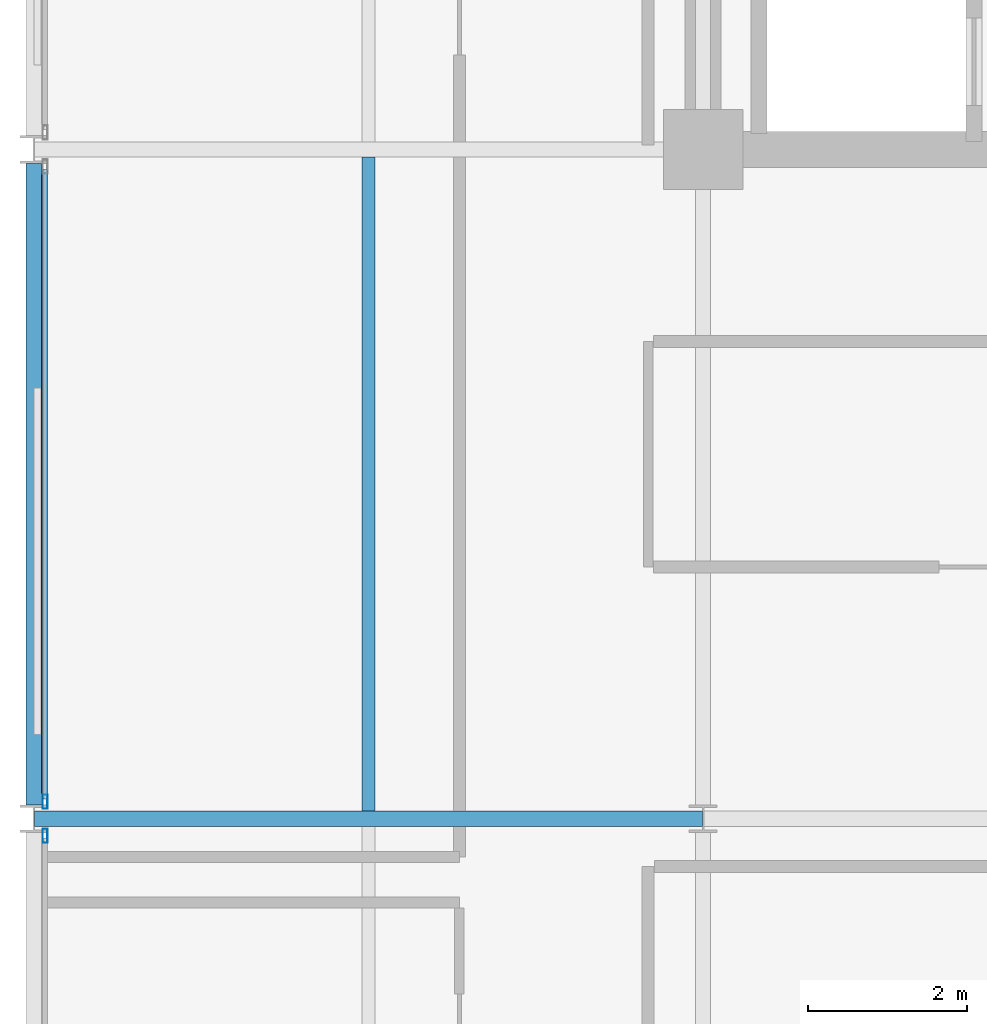
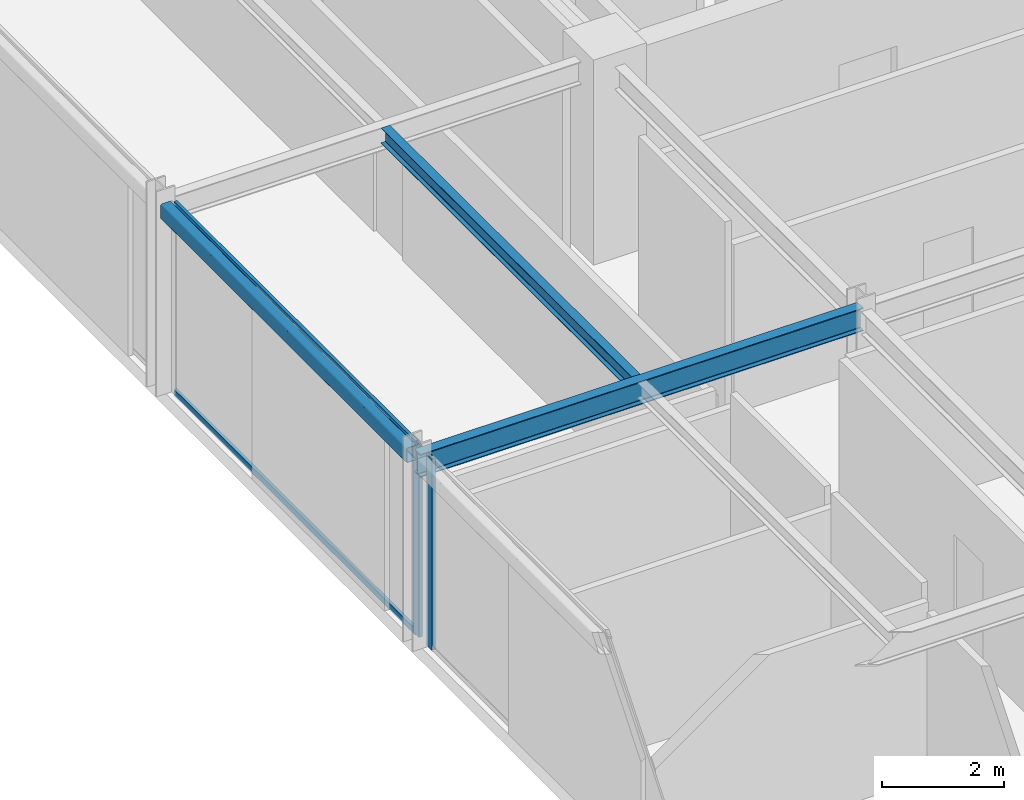
# One storey, part 8 of 25: 4 members, 3 beams, 2 elements without a shape of their own.
"""IFC4 building model written with IfcOpenShell, lengths in metres."""

import ifcopenshell
import ifcopenshell.guid

model = None  # the IFC model being written
_history = None  # IfcOwnerHistory: only IFC2X3 demands one
_inside = {}  # id of a spatial element -> (the spatial element, [elements in it])
_under = {}  # id of a project, library or spatial element -> (it, [spatial elements below it])
_declared = {}  # id of a project -> (the project, [libraries it declares])
_typed = {}  # id of a type object -> (the type object, [elements of that type])
_made_of = {}  # id of a material, layer set ... -> (it, [elements and type objects made of it])


def new_model(schema):
    """Start an empty IFC model of exactly this schema.

    Asked for "IFC4X3", IfcOpenShell would pick the latest addendum, in which some entities
    have other attributes; the version numbers below select the first issue.
    IFC2X3 requires an IfcOwnerHistory on every rooted entity: one is made here for all.
    """
    global model, _history
    if schema == "IFC4X3":
        model = ifcopenshell.file(schema_version=(4, 3, 0, 0))
    else:
        model = ifcopenshell.file(schema=schema)
    _inside.clear()
    _under.clear()
    _declared.clear()
    _typed.clear()
    _made_of.clear()
    _history = None
    if model.schema == "IFC2X3":
        org = make("IfcOrganization", Name="unknown")
        user = make(
            "IfcPersonAndOrganization",
            ThePerson=make("IfcPerson", FamilyName="unknown"),
            TheOrganization=org,
        )
        app = make(
            "IfcApplication",
            ApplicationDeveloper=org,
            Version="unknown",
            ApplicationFullName="unknown",
            ApplicationIdentifier="unknown",
        )
        _history = make(
            "IfcOwnerHistory",
            OwningUser=user,
            OwningApplication=app,
            ChangeAction="ADDED",
            CreationDate=0,
        )
    return model


def make(cls, **values):
    """One entity of the class cls with the attributes given. An attribute that is None is left unset."""
    return model.create_entity(
        cls, **{name: value for name, value in values.items() if value is not None}
    )


def rooted(cls, **values):
    """An entity with a GlobalId (a new one), such as an element, a storey or a relation."""
    return make(cls, GlobalId=ifcopenshell.guid.new(), OwnerHistory=_history, **values)


def si_unit(unit_type, name, prefix=None):
    """IfcSIUnit, for example si_unit("LENGTHUNIT", "METRE", prefix="MILLI")."""
    return make("IfcSIUnit", UnitType=unit_type, Prefix=prefix, Name=name)


def assignment(units):
    """IfcUnitAssignment: the units of a project."""
    return None if units is None else make("IfcUnitAssignment", Units=units)


def point(xyz):
    """IfcCartesianPoint."""
    return None if xyz is None else make("IfcCartesianPoint", Coordinates=xyz)


def direction(xyz):
    """IfcDirection."""
    return None if xyz is None else make("IfcDirection", DirectionRatios=xyz)


def frame(location, z_axis=None, x_axis=None):
    """IfcAxis2Placement3D, a coordinate frame: its origin and axes. An axis left out is left unset."""
    return make(
        "IfcAxis2Placement3D",
        Location=point(location),
        Axis=direction(z_axis),
        RefDirection=direction(x_axis),
    )


def frame_2d(location, x_axis=None):
    """IfcAxis2Placement2D, a coordinate frame in the plane: its origin and x axis."""
    return make(
        "IfcAxis2Placement2D", Location=point(location), RefDirection=direction(x_axis)
    )


def origin():
    """The frame at (0, 0, 0) with its axes left unset."""
    return frame((0.0, 0.0, 0.0))


def origin_2d():
    """The frame at (0, 0) in the plane with its x axis left unset."""
    return frame_2d((0.0, 0.0))


def place(relative_to, where):
    """IfcLocalPlacement: puts the frame where relative to a parent placement (None: the world)."""
    return make(
        "IfcLocalPlacement", PlacementRelTo=relative_to, RelativePlacement=where
    )


def context(
    kind, dimensions, precision=None, world=None, true_north=None, identifier=None
):
    """IfcGeometricRepresentationContext, for example the 3D "Model" context."""
    return make(
        "IfcGeometricRepresentationContext",
        ContextIdentifier=identifier,
        ContextType=kind,
        CoordinateSpaceDimension=dimensions,
        Precision=precision,
        WorldCoordinateSystem=world,
        TrueNorth=true_north,
    )


def subcontext(parent, identifier, kind, view, scale=None):
    """IfcGeometricRepresentationSubContext, for example "Body" below "Model"."""
    return make(
        "IfcGeometricRepresentationSubContext",
        ContextIdentifier=identifier,
        ContextType=kind,
        ParentContext=parent,
        TargetScale=scale,
        TargetView=view,
    )


def project(units=None, contexts=None):
    """IfcProject with its units and contexts."""
    return rooted(
        "IfcProject",
        Name="project",
        RepresentationContexts=contexts,
        UnitsInContext=assignment(units),
    )


def spatial(cls, under=None, at=None, **own):
    """A site, building, storey or space (cls), placed at a placement, below another one or the project."""
    s = rooted(cls, ObjectPlacement=at, **own)
    if under is not None:
        _under.setdefault(under.id(), (under, []))[1].append(s)
    return s


def profile(cls, at=None, kind="AREA", **sizes):
    """A parametric profile (cls). Its sizes go by their IFC names, for example OverallWidth=200.0."""
    return make(cls, ProfileType=kind, Position=at, **sizes)


def hollow_rectangle(**sizes):
    """IfcRectangleHollowProfileDef."""
    return profile("IfcRectangleHollowProfileDef", **sizes)


def i_section(**sizes):
    """IfcIShapeProfileDef."""
    return profile("IfcIShapeProfileDef", **sizes)


def extrude(swept, where, along, depth):
    """IfcExtrudedAreaSolid: the profile swept, set in the frame where, extruded along a direction by depth."""
    return make(
        "IfcExtrudedAreaSolid",
        SweptArea=swept,
        Position=where,
        ExtrudedDirection=direction(along),
        Depth=depth,
    )


def shape(context_of_items, identifier, shape_type, items):
    """IfcShapeRepresentation: the items that make up one representation, for example the "Body"."""
    return make(
        "IfcShapeRepresentation",
        ContextOfItems=context_of_items,
        RepresentationIdentifier=identifier,
        RepresentationType=shape_type,
        Items=items,
    )


def material(Name=None, Category=None):
    """IfcMaterial."""
    return make("IfcMaterial", Name=Name, Category=Category)


def layer(
    of_material, thickness, ventilated=None, Name=None, Category=None, Priority=None
):
    """IfcMaterialLayer: one layer of a wall or slab, of a material (None: an air gap)."""
    return make(
        "IfcMaterialLayer",
        Material=of_material,
        LayerThickness=thickness,
        IsVentilated=ventilated,
        Name=Name,
        Category=Category,
        Priority=Priority,
    )


def layer_set(layers, Name=None):
    """IfcMaterialLayerSet."""
    return make("IfcMaterialLayerSet", MaterialLayers=layers, LayerSetName=Name)


def material_profile(
    of_material, cross_section, Name=None, Category=None, Priority=None
):
    """IfcMaterialProfile: a cross section and its material."""
    return make(
        "IfcMaterialProfile",
        Name=Name,
        Material=of_material,
        Profile=cross_section,
        Priority=Priority,
        Category=Category,
    )


def profile_set(profiles, Name=None, composite=None):
    """IfcMaterialProfileSet."""
    return make(
        "IfcMaterialProfileSet",
        Name=Name,
        MaterialProfiles=profiles,
        CompositeProfile=composite,
    )


def made_of(thing, what):
    """Note that an element or type object is made of a material, layer set ...; save() writes the relation."""
    if what is not None:
        _made_of.setdefault(what.id(), (what, []))[1].append(thing)
    return thing


def type_object(cls, material=None, **own):
    """A type object (cls), such as IfcWallType, which elements share."""
    return made_of(rooted(cls, **own), material)


def element(
    cls,
    number,
    at=None,
    inside=None,
    cuts=None,
    type_object=None,
    material=None,
    context=None,
    identifier="Body",
    shape_type=None,
    held_by="IfcProductDefinitionShape",
    body=None,
    shapes=None,
    **own,
):
    """One element of the class cls, such as IfcWall. Its Tag is "e" and its number.

    at: its placement. inside: the storey or other place that contains it. cuts: it is an
    opening in that element (IfcRelVoidsElement). A single representation is given by context,
    identifier, shape_type and body (its items); several are given by shapes. held_by: the class
    of the entity that holds the representations. save() writes the other relations.
    """
    e = rooted(cls, Tag="e%d" % number, ObjectPlacement=at, **own)
    if body is not None:
        shapes = [shape(context, identifier, shape_type, body)]
    if shapes is not None:
        e.Representation = make(held_by, Representations=shapes)
    if inside is not None:
        _inside.setdefault(inside.id(), (inside, []))[1].append(e)
    if cuts is not None:
        rooted(
            "IfcRelVoidsElement", RelatingBuildingElement=cuts, RelatedOpeningElement=e
        )
    if type_object is not None:
        _typed.setdefault(type_object.id(), (type_object, []))[1].append(e)
    return made_of(e, material)


def aggregate(whole, parts):
    """IfcRelAggregates: a whole, such as a stair, and the parts it consists of."""
    return rooted("IfcRelAggregates", RelatingObject=whole, RelatedObjects=parts)


def save(model, path):
    """Write the relations noted so far, then the file.

    IfcRelAggregates (storeys below a building ...), IfcRelContainedInSpatialStructure (elements
    in a storey), IfcRelDefinesByType, IfcRelAssociatesMaterial and IfcRelDeclares: one each for
    every whole, place, type object, material and project.
    """
    for whole, parts in _under.values():
        aggregate(whole, parts)
    for where, things in _inside.values():
        rooted(
            "IfcRelContainedInSpatialStructure",
            RelatedElements=things,
            RelatingStructure=where,
        )
    for kind, things in _typed.values():
        rooted("IfcRelDefinesByType", RelatedObjects=things, RelatingType=kind)
    for what, things in _made_of.values():
        rooted("IfcRelAssociatesMaterial", RelatedObjects=things, RelatingMaterial=what)
    for by, libraries in _declared.values():
        rooted("IfcRelDeclares", RelatingContext=by, RelatedDefinitions=libraries)
    model.write(path)


model = new_model("IFC4")

# Units and contexts
model_context = context("Model", 3, precision=1e-05, world=origin(), true_north=direction((0.0, 1.0)))
body_context = subcontext(model_context, "Body", "Model", "MODEL_VIEW")
ifc_project = project(units=[si_unit("LENGTHUNIT", "METRE"), si_unit("AREAUNIT", "SQUARE_METRE"), si_unit("VOLUMEUNIT", "CUBIC_METRE"), si_unit("PLANEANGLEUNIT", "RADIAN"), si_unit("MASSUNIT", "GRAM", prefix="KILO")], contexts=[model_context])

# Site, building, storey
site_placement = place(None, origin())
site = spatial("IfcSite", under=ifc_project, at=site_placement, CompositionType="ELEMENT")
building_placement = place(site_placement, origin())
building = spatial("IfcBuilding", under=site, at=building_placement, Name="Nerrivon Quay Data Exchange", CompositionType="ELEMENT")
storey_placement = place(building_placement, frame((0.0, 0.0, 232.89990234375)))
storey = spatial("IfcBuildingStorey", under=building, at=storey_placement, Name="L55", CompositionType="ELEMENT", Elevation=232.89990234375)

# Beams
ifc_material_1 = material(Name="Steel Grade 350", Category="steel")
ifc_material_profile_1 = material_profile(ifc_material_1, i_section(OverallWidth=0.19091796875, OverallDepth=0.4599609375, WebThickness=0.010009765625, FlangeThickness=0.01611328125, FilletRadius=0.011474609375, at=origin_2d()), Name="460UB82.1")
ifc_profile_set_1 = profile_set([ifc_material_profile_1], Name="Steel Grade 350")
beam_type_1 = type_object("IfcBeamType", Name="BM-G5-460UB82", PredefinedType="BEAM", material=ifc_profile_set_1)
beam_1_placement = place(storey_placement, frame((0.010009765625, 16.800048828125, 3.59521484375), z_axis=(1.0, 0.0, 0.0), x_axis=(0.0, 1.0, 0.0)))
element("IfcBeam", 1, at=beam_1_placement, inside=storey, type_object=beam_type_1, Name="L55 EW Girder Y=16.8 (0.0..8.4)", PredefinedType="BEAM", context=body_context, shape_type="SweptSolid", body=[
    extrude(i_section(OverallWidth=0.19091796875, OverallDepth=0.4599609375, WebThickness=0.010009765625, FlangeThickness=0.01611328125, FilletRadius=0.011474609375, at=origin_2d()), origin(), (0.0, 0.0, 1.0), 8.3798828125),
])
ifc_material_profile_2 = material_profile(ifc_material_1, i_section(OverallWidth=0.166015625, OverallDepth=0.306884765625, WebThickness=0.006591796875, FlangeThickness=0.01171875, FilletRadius=0.011474609375, at=origin_2d()), Name="310UB46.2")
ifc_profile_set_2 = profile_set([ifc_material_profile_2], Name="Steel Grade 350")
beam_type_2 = type_object("IfcBeamType", Name="BM-J5-310UB46", PredefinedType="JOIST", material=ifc_profile_set_2)
beam_2_placement = place(storey_placement, frame((4.199951171875, 16.8955078125, 3.671630859375), z_axis=(0.0, 1.0, 0.0), x_axis=(-1.0, 0.0, 0.0)))
element("IfcBeam", 2, at=beam_2_placement, inside=storey, type_object=beam_type_2, Name="L55 Secondary Joist X=4.2 (16.8..25.2)", PredefinedType="JOIST", context=body_context, shape_type="SweptSolid", body=[
    extrude(i_section(OverallWidth=0.166015625, OverallDepth=0.306884765625, WebThickness=0.006591796875, FlangeThickness=0.01171875, FilletRadius=0.011474609375, at=origin_2d()), origin(), (0.0, 0.0, 1.0), 8.208984375),
])
ifc_material_2 = material(Name="Steel Grade C350L0 (350 MPa)", Category="steel")
ifc_material_profile_3 = material_profile(ifc_material_2, hollow_rectangle(XDim=0.199951171875, YDim=0.300048828125, WallThickness=0.012451171875, InnerFilletRadius=0.018798828125, OuterFilletRadius=0.03125, at=origin_2d()), Name="300x200x12.5RHS")
ifc_profile_set_3 = profile_set([ifc_material_profile_3], Name="Steel Grade C350L0 (350 MPa)")
beam_type_3 = type_object("IfcBeamType", Name="BM-SP3-300x200RHS", PredefinedType="SPANDREL", material=ifc_profile_set_3)
beam_3_placement = place(storey_placement, frame((0.0, 16.97509765625, 3.675048828125), z_axis=(0.0, 1.0, 0.0), x_axis=(-1.0, 0.0, 0.0)))
element("IfcBeam", 3, at=beam_3_placement, inside=storey, type_object=beam_type_3, Name="L55 NS Girder X=0.0 (16.8..25.2)", PredefinedType="SPANDREL", context=body_context, shape_type="SweptSolid", body=[
    extrude(hollow_rectangle(XDim=0.199951171875, YDim=0.300048828125, WallThickness=0.012451171875, InnerFilletRadius=0.018798828125, OuterFilletRadius=0.03125, at=origin_2d()), origin(), (0.0, 0.0, 1.0), 8.0498046875),
])

# Curtain wall, member
ifc_material_3 = material(Name="Anodised aluminium 6063-T6", Category="aluminium")
ifc_layer = layer(ifc_material_3, 0.195068359375)
ifc_layer_set = layer_set([ifc_layer], Name="Anodised aluminium 6063-T6")
curtain_wall_type = type_object("IfcCurtainWallType", Name="CW-SYS-06", PredefinedType="NOTDEFINED", material=ifc_layer_set)
curtain_wall_1_placement = place(storey_placement, origin())
curtain_wall_1 = element("IfcCurtainWall", 4, at=curtain_wall_1_placement, inside=storey, type_object=curtain_wall_type, Name="L55 Unitised Curtain Wall 12", PredefinedType="NOTDEFINED")
ifc_material_profile_4 = material_profile(ifc_material_3, hollow_rectangle(XDim=0.06494140625, YDim=0.179931640625, WallThickness=0.00341796875, at=origin_2d()), Name="ALU-MULL-180x65")
ifc_profile_set_4 = profile_set([ifc_material_profile_4], Name="Anodised aluminium 6063-T6")
member_type_1 = type_object("IfcMemberType", Name="CWM-180x65", PredefinedType="MULLION", material=ifc_profile_set_4)
member_1_placement = place(storey_placement, frame((0.139892578125, 16.58740234375, 0.0), z_axis=(0.0, 0.0, 1.0), x_axis=(-1.0, 0.0, 0.0)))
member_1 = element("IfcMember", 5, at=member_1_placement, type_object=member_type_1, Name="CW06 mullion 2", PredefinedType="MULLION", context=body_context, shape_type="SweptSolid", body=[
    extrude(hollow_rectangle(XDim=0.06494140625, YDim=0.179931640625, WallThickness=0.00341796875, at=origin_2d()), origin(), (0.0, 0.0, 1.0), 3.8251953125),
])
aggregate(curtain_wall_1, [member_1])

# Curtain wall, members
curtain_wall_2_placement = place(storey_placement, origin())
curtain_wall_2 = element("IfcCurtainWall", 6, at=curtain_wall_2_placement, inside=storey, type_object=curtain_wall_type, Name="L55 Unitised Curtain Wall 13", PredefinedType="NOTDEFINED")
member_2_placement = place(storey_placement, frame((0.139892578125, 17.012451171875, 0.0), z_axis=(0.0, 0.0, 1.0), x_axis=(-1.0, 0.0, 0.0)))
member_2 = element("IfcMember", 7, at=member_2_placement, type_object=member_type_1, Name="CW06 mullion 1", PredefinedType="MULLION", context=body_context, shape_type="SweptSolid", body=[
    extrude(hollow_rectangle(XDim=0.06494140625, YDim=0.179931640625, WallThickness=0.00341796875, at=origin_2d()), origin(), (0.0, 0.0, 1.0), 3.8251953125),
])
ifc_material_profile_5 = material_profile(ifc_material_3, hollow_rectangle(XDim=0.06005859375, YDim=0.1201171875, WallThickness=0.003173828125, at=origin_2d()), Name="ALU-TRAN-120x60")
ifc_profile_set_5 = profile_set([ifc_material_profile_5], Name="Anodised aluminium 6063-T6")
member_type_2 = type_object("IfcMemberType", Name="CWT-120x60", PredefinedType="USERDEFINED", material=ifc_profile_set_5)
member_3_placement = place(storey_placement, frame((0.139892578125, 17.050048828125, 0.03271484375), z_axis=(0.0, 1.0, 0.0), x_axis=(-1.0, 0.0, 0.0)))
member_3 = element("IfcMember", 8, at=member_3_placement, type_object=member_type_2, Name="CW06 transom 1.1", ObjectType="TRANSOM", PredefinedType="USERDEFINED", context=body_context, shape_type="SweptSolid", body=[
    extrude(hollow_rectangle(XDim=0.06005859375, YDim=0.1201171875, WallThickness=0.003173828125, at=origin_2d()), origin(), (0.0, 0.0, 1.0), 7.89990234375),
])
member_4_placement = place(storey_placement, frame((0.139892578125, 17.050048828125, 3.79248046875), z_axis=(0.0, 1.0, 0.0), x_axis=(-1.0, 0.0, 0.0)))
member_4 = element("IfcMember", 9, at=member_4_placement, type_object=member_type_2, Name="CW06 transom 1.2", ObjectType="TRANSOM", PredefinedType="USERDEFINED", context=body_context, shape_type="SweptSolid", body=[
    extrude(hollow_rectangle(XDim=0.06005859375, YDim=0.1201171875, WallThickness=0.003173828125, at=origin_2d()), origin(), (0.0, 0.0, 1.0), 7.89990234375),
])
aggregate(curtain_wall_2, [member_2, member_3, member_4])

save(model, "model.ifc")
